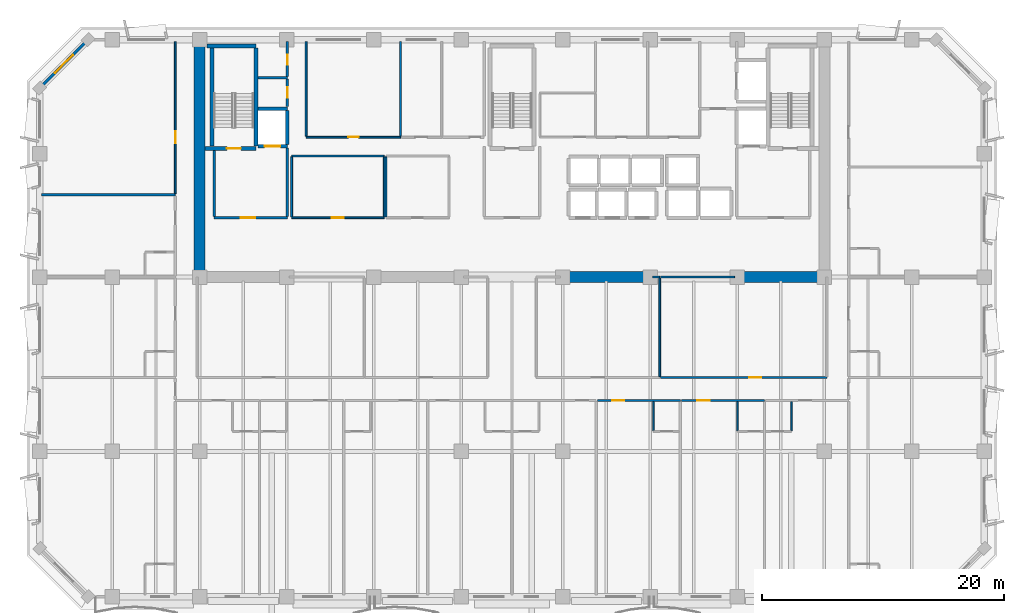
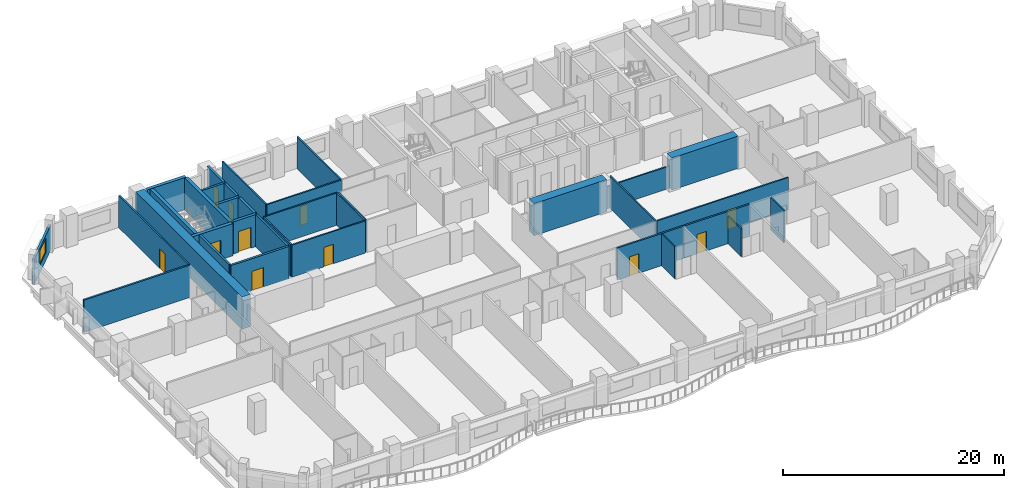
# One storey, part 6 of 14: 36 walls, 11 doors, 1 window, 12 openings.
"""IFC4 building model written with IfcOpenShell, lengths in metres."""

from ifc_helpers import new_model, si_unit, direction, frame, frame_2d, origin, place, context, subcontext, project, spatial, rectangle, extrude, material, layer, layer_set, type_object, element, fill, save


model = new_model("IFC4")

# Units and contexts
model_context = context("Model", 3, precision=1e-05, world=origin(), true_north=direction((0.0, 1.0)))
body_context = subcontext(model_context, "Body", "Model", "MODEL_VIEW")
ifc_project = project(units=[si_unit("LENGTHUNIT", "METRE"), si_unit("AREAUNIT", "SQUARE_METRE"), si_unit("VOLUMEUNIT", "CUBIC_METRE"), si_unit("PLANEANGLEUNIT", "RADIAN"), si_unit("MASSUNIT", "GRAM", prefix="KILO")], contexts=[model_context])

# Site, building, storey
site_placement = place(None, origin())
site = spatial("IfcSite", under=ifc_project, at=site_placement, CompositionType="ELEMENT")
building_placement = place(site_placement, origin())
building = spatial("IfcBuilding", under=site, at=building_placement, Name="Kaelvorn Grand Hotel", CompositionType="ELEMENT")
storey_placement = place(building_placement, frame((0.0, 0.0, 165.75)))
storey = spatial("IfcBuildingStorey", under=building, at=storey_placement, Name="L40", CompositionType="ELEMENT", Elevation=165.75)

# Walls
ifc_material_1 = material(Name="Concrete C60/75", Category="concrete")
ifc_layer_1 = layer(ifc_material_1, 0.89990234375)
ifc_layer_set_1 = layer_set([ifc_layer_1], Name="Concrete C60/75")
wall_type_1 = type_object("IfcWallType", Name="WL-CORE-900-C60", PredefinedType="SHEAR", material=ifc_layer_set_1)
wall_1_placement = place(storey_placement, frame((16.199951171875, 29.39990234375, 0.0), z_axis=(0.0, 0.0, 1.0), x_axis=(0.0, 1.0, 0.0)))
element("IfcWall", 1, at=wall_1_placement, inside=storey, type_object=wall_type_1, Name="L40 Rear-Core West Shear Wall", PredefinedType="SHEAR", context=body_context, shape_type="SweptSolid", body=[
    extrude(rectangle(XDim=19.2001953125, YDim=0.89990234375, at=frame_2d((9.60009765625, 0.0))), origin(), (0.0, 0.0, 1.0), 3.56005859375),
])
wall_2_placement = place(storey_placement, frame((46.0, 29.39990234375, 0.0), z_axis=(0.0, 0.0, 1.0), x_axis=(1.0, 0.0, 0.0)))
element("IfcWall", 2, at=wall_2_placement, inside=storey, type_object=wall_type_1, Name="L40 Rear-Core Coupled Shear Pier S3", PredefinedType="SHEAR", context=body_context, shape_type="SweptSolid", body=[
    extrude(rectangle(XDim=7.60009765625, YDim=0.89990234375, at=frame_2d((3.800048828125, 0.0))), origin(), (0.0, 0.0, 1.0), 3.56005859375),
])
wall_3_placement = place(storey_placement, frame((60.39990234375, 29.39990234375, 0.0), z_axis=(0.0, 0.0, 1.0), x_axis=(1.0, 0.0, 0.0)))
element("IfcWall", 3, at=wall_3_placement, inside=storey, type_object=wall_type_1, Name="L40 Rear-Core Coupled Shear Pier S4", PredefinedType="SHEAR", context=body_context, shape_type="SweptSolid", body=[
    extrude(rectangle(XDim=6.945068359375, YDim=0.89990234375, at=frame_2d((3.47265625, 0.0))), origin(), (0.0, 0.0, 1.0), 3.56005859375),
])

# Wall, opening, window
ifc_material_2 = material(Name="Concrete C40/50", Category="concrete")
ifc_layer_2 = layer(ifc_material_2, 0.239990234375)
ifc_layer_set_2 = layer_set([ifc_layer_2], Name="Concrete C40/50")
wall_type_2 = type_object("IfcWallType", Name="WL-EXT-240-C40", PredefinedType="SOLIDWALL", material=ifc_layer_set_2)
wall_4_placement = place(storey_placement, frame((7.0, 49.0, 0.0), z_axis=(0.0, 0.0, 1.0), x_axis=(-0.707106781187, -0.707106781187, 0.0)))
wall_4 = element("IfcWall", 4, at=wall_4_placement, inside=storey, type_object=wall_type_2, Name="L40 Exterior Architectural Concrete Wall 06", PredefinedType="SOLIDWALL", context=body_context, shape_type="SweptSolid", body=[
    extrude(rectangle(XDim=5.65673828125, YDim=0.239990234375, at=frame_2d((2.828369140625, 0.0))), origin(), (0.0, 0.0, 1.0), 2.760009765625),
])
opening_1_placement = place(wall_4_placement, frame((1.7783203125, 0.0, 0.85009765625)))
opening_1 = element("IfcOpeningElement", 5, at=opening_1_placement, cuts=wall_4, Name="Opening W7", PredefinedType="OPENING", context=body_context, shape_type="SweptSolid", body=[
    extrude(rectangle(XDim=2.10009765625, YDim=1.60009765625, at=frame_2d((1.050048828125, 0.800048828125))), frame((0.0, 0.1298828125, 0.0), z_axis=(0.0, -1.0, 0.0), x_axis=(1.0, 0.0, 0.0)), (0.0, 0.0, 1.0), 0.260009765625),
])
ifc_material_3 = material(Name="Laminated Low-E Glass", Category="glass")
window_type = type_object("IfcWindowType", Name="WIN-CHM-2100x1600", PartitioningType="SINGLE_PANEL", PredefinedType="WINDOW", material=ifc_material_3)
window_placement = place(opening_1_placement, origin())
window = element("IfcWindow", 6, at=window_placement, inside=storey, type_object=window_type, Name="L40 Chamfered 45-Degree Corner Window NW", OverallHeight=1.60009765625, OverallWidth=2.10009765625, PartitioningType="SINGLE_PANEL", PredefinedType="WINDOW", context=body_context, shape_type="SweptSolid", body=[
    extrude(rectangle(XDim=2.10009765625, YDim=1.60009765625, at=frame_2d((1.050048828125, 0.800048828125))), frame((0.0, 0.030029296875, 0.0), z_axis=(0.0, -1.0, 0.0), x_axis=(1.0, 0.0, 0.0)), (0.0, 0.0, 1.0), 0.06005859375),
])
fill(opening_1, window)

# Walls
ifc_material_4 = material(Name="Moisture-Resistant Tile & Stud Board")
ifc_layer_3 = layer(ifc_material_4, 0.125)
ifc_layer_set_3 = layer_set([ifc_layer_3], Name="Moisture-Resistant Tile & Stud Board")
wall_type_3 = type_object("IfcWallType", Name="WL-PART-125-WET", PredefinedType="PARTITIONING", material=ifc_layer_set_3)
wall_5_placement = place(storey_placement, frame((53.679931640625, 16.717529296875, 0.0), z_axis=(0.0, 0.0, 1.0), x_axis=(0.0, 1.0, 0.0)))
element("IfcWall", 7, at=wall_5_placement, inside=storey, type_object=wall_type_3, Name="L40 En-suite Bathroom L40-06 W Partition", PredefinedType="PARTITIONING", context=body_context, shape_type="SweptSolid", body=[
    extrude(rectangle(XDim=2.387451171875, YDim=0.125, at=frame_2d((1.19384765625, 0.0))), origin(), (0.0, 0.0, 1.0), 3.56005859375),
])
wall_6_placement = place(storey_placement, frame((60.6298828125, 16.717529296875, 0.0), z_axis=(0.0, 0.0, 1.0), x_axis=(0.0, 1.0, 0.0)))
element("IfcWall", 8, at=wall_6_placement, inside=storey, type_object=wall_type_3, Name="L40 En-suite Bathroom L40-07 W Partition", PredefinedType="PARTITIONING", context=body_context, shape_type="SweptSolid", body=[
    extrude(rectangle(XDim=2.387451171875, YDim=0.125, at=frame_2d((1.19384765625, 0.0))), origin(), (0.0, 0.0, 1.0), 3.06005859375),
])
wall_7_placement = place(storey_placement, frame((65.070068359375, 16.717529296875, 0.0), z_axis=(0.0, 0.0, 1.0), x_axis=(0.0, 1.0, 0.0)))
element("IfcWall", 9, at=wall_7_placement, inside=storey, type_object=wall_type_3, Name="L40 En-suite Bathroom L40-08 E Partition", PredefinedType="PARTITIONING", context=body_context, shape_type="SweptSolid", body=[
    extrude(rectangle(XDim=2.387451171875, YDim=0.125, at=frame_2d((1.19384765625, 0.0))), origin(), (0.0, 0.0, 1.0), 3.56005859375),
])
ifc_material_5 = material(Name="Acoustic Gypsum & Stud Partition")
ifc_layer_4 = layer(ifc_material_5, 0.14990234375)
ifc_layer_set_4 = layer_set([ifc_layer_4], Name="Acoustic Gypsum & Stud Partition")
wall_type_4 = type_object("IfcWallType", Name="WL-PART-150-EI60", PredefinedType="PARTITIONING", material=ifc_layer_set_4)
wall_8_placement = place(storey_placement, frame((31.60009765625, 34.3798828125, 0.0), z_axis=(0.0, 0.0, 1.0), x_axis=(0.0, 1.0, 0.0)))
element("IfcWall", 10, at=wall_8_placement, inside=storey, type_object=wall_type_4, Name="L40 Core Telecoms & BMS Server Room W Partition", PredefinedType="PARTITIONING", context=body_context, shape_type="SweptSolid", body=[
    extrude(rectangle(XDim=4.940185546875, YDim=0.14990234375, at=frame_2d((2.47021484375, 0.0))), origin(), (0.0, 0.0, 1.0), 3.56005859375),
])

# Wall, opening, door
wall_9_placement = place(storey_placement, frame((23.800048828125, 34.300048828125, 0.0), z_axis=(0.0, 0.0, 1.0), x_axis=(1.0, 0.0, 0.0)))
wall_9 = element("IfcWall", 11, at=wall_9_placement, inside=storey, type_object=wall_type_4, Name="L40 Executive Club Sitting Lounge S Partition", PredefinedType="PARTITIONING", context=body_context, shape_type="SweptSolid", body=[
    extrude(rectangle(XDim=7.64990234375, YDim=0.14990234375, at=frame_2d((3.824951171875, 0.0))), origin(), (0.0, 0.0, 1.0), 3.56005859375),
])
opening_2_placement = place(wall_9_placement, frame((3.300048828125, 0.0, 0.0)))
opening_2 = element("IfcOpeningElement", 12, at=opening_2_placement, cuts=wall_9, Name="Opening DI3", PredefinedType="OPENING", context=body_context, shape_type="SweptSolid", body=[
    extrude(rectangle(XDim=1.0, YDim=2.14990234375, at=frame_2d((0.5, 1.074951171875))), frame((0.0, 0.0849609375, 0.0), z_axis=(0.0, -1.0, 0.0), x_axis=(1.0, 0.0, 0.0)), (0.0, 0.0, 1.0), 0.169921875),
])
ifc_material_6 = material(Name="Timber Veneer Fire Leaf", Category="wood")
door_type_1 = type_object("IfcDoorType", Name="DR-INT-GUEST-1000x2150", OperationType="NOTDEFINED", PredefinedType="DOOR", material=ifc_material_6)
door_1_placement = place(opening_2_placement, origin())
door_1 = element("IfcDoor", 13, at=door_1_placement, inside=storey, type_object=door_type_1, Name="L40 Executive Club Sitting Lounge Door", OperationType="SINGLE_SWING_LEFT", OverallHeight=2.14990234375, OverallWidth=1.0, PredefinedType="DOOR", context=body_context, shape_type="SweptSolid", body=[
    extrude(rectangle(XDim=1.0, YDim=2.14990234375, at=frame_2d((0.5, 1.074951171875))), frame((0.0, 0.02490234375, 0.0), z_axis=(0.0, -1.0, 0.0), x_axis=(1.0, 0.0, 0.0)), (0.0, 0.0, 1.0), 0.050048828125),
])
fill(opening_2, door_1)

# Walls
wall_10_placement = place(storey_placement, frame((23.800048828125, 39.39990234375, 0.0), z_axis=(0.0, 0.0, 1.0), x_axis=(1.0, 0.0, 0.0)))
element("IfcWall", 14, at=wall_10_placement, inside=storey, type_object=wall_type_4, Name="L40 Executive Club Sitting Lounge N Partition", PredefinedType="PARTITIONING", context=body_context, shape_type="SweptSolid", body=[
    extrude(rectangle(XDim=7.64990234375, YDim=0.14990234375, at=frame_2d((3.824951171875, 0.0))), origin(), (0.0, 0.0, 1.0), 3.56005859375),
])
for number, where, z_axis, x_axis, name in (
    (15, (23.800048828125, 34.3798828125, 0.0), (0.0, 0.0, 1.0), (0.0, 1.0, 0.0), "L40 Executive Club Sitting Lounge W Partition"),
    (16, (31.449951171875, 34.3798828125, 0.0), (0.0, 0.0, 1.0), (0.0, 1.0, 0.0), "L40 Executive Club Sitting Lounge E Partition"),
):
    element("IfcWall", number, at=place(storey_placement, frame(where, z_axis=z_axis, x_axis=x_axis)), inside=storey, type_object=wall_type_4, Name=name, PredefinedType="PARTITIONING", context=body_context, shape_type="SweptSolid", body=[
        extrude(rectangle(XDim=4.940185546875, YDim=0.14990234375, at=frame_2d((2.47021484375, 0.0))), origin(), (0.0, 0.0, 1.0), 3.56005859375),
    ])

# Wall, opening, door
wall_11_placement = place(storey_placement, frame((25.0, 40.949951171875, 0.0), z_axis=(0.0, 0.0, 1.0), x_axis=(1.0, 0.0, 0.0)))
wall_11 = element("IfcWall", 17, at=wall_11_placement, inside=storey, type_object=wall_type_4, Name="L40 Housekeeping & Linen Room S Partition", PredefinedType="PARTITIONING", context=body_context, shape_type="SweptSolid", body=[
    extrude(rectangle(XDim=7.800048828125, YDim=0.14990234375, at=frame_2d((3.89990234375, 0.0))), origin(), (0.0, 0.0, 1.0), 3.56005859375),
])
opening_3_placement = place(wall_11_placement, frame((3.47509765625, 0.0, 0.0)))
opening_3 = element("IfcOpeningElement", 18, at=opening_3_placement, cuts=wall_11, Name="Opening DI7", PredefinedType="OPENING", context=body_context, shape_type="SweptSolid", body=[
    extrude(rectangle(XDim=0.85009765625, YDim=2.10009765625, at=frame_2d((0.425048828125, 1.050048828125))), frame((0.0, 0.0849609375, 0.0), z_axis=(0.0, -1.0, 0.0), x_axis=(1.0, 0.0, 0.0)), (0.0, 0.0, 1.0), 0.169921875),
])
ifc_material_7 = material(Name="Powder-Coated Steel Leaf", Category="steel")
door_type_2 = type_object("IfcDoorType", Name="DR-INT-RISER-850x2100", OperationType="NOTDEFINED", PredefinedType="DOOR", material=ifc_material_7)
door_2_placement = place(opening_3_placement, origin())
door_2 = element("IfcDoor", 19, at=door_2_placement, inside=storey, type_object=door_type_2, Name="L40 Housekeeping & Linen Room Door", OperationType="SINGLE_SWING_RIGHT", OverallHeight=2.10009765625, OverallWidth=0.85009765625, PredefinedType="DOOR", context=body_context, shape_type="SweptSolid", body=[
    extrude(rectangle(XDim=0.85009765625, YDim=2.10009765625, at=frame_2d((0.425048828125, 1.050048828125))), frame((0.0, 0.02490234375, 0.0), z_axis=(0.0, -1.0, 0.0), x_axis=(1.0, 0.0, 0.0)), (0.0, 0.0, 1.0), 0.050048828125),
])
fill(opening_3, door_2)

# Walls
for number, where, z_axis, x_axis, name in (
    (20, (25.0, 41.030029296875, 0.0), (0.0, 0.0, 1.0), (0.0, 1.0, 0.0), "L40 Housekeeping & Linen Room W Partition"),
    (21, (32.800048828125, 41.030029296875, 0.0), (0.0, 0.0, 1.0), (0.0, 1.0, 0.0), "L40 Housekeeping & Linen Room E Partition"),
):
    element("IfcWall", number, at=place(storey_placement, frame(where, z_axis=z_axis, x_axis=x_axis)), inside=storey, type_object=wall_type_4, Name=name, PredefinedType="PARTITIONING", context=body_context, shape_type="SweptSolid", body=[
        extrude(rectangle(XDim=7.820068359375, YDim=0.14990234375, at=frame_2d((3.91015625, 0.0))), origin(), (0.0, 0.0, 1.0), 3.56005859375),
    ])
wall_12_placement = place(storey_placement, frame((53.610107421875, 29.39990234375, 0.0), z_axis=(0.0, 0.0, 1.0), x_axis=(1.0, 0.0, 0.0)))
element("IfcWall", 22, at=wall_12_placement, inside=storey, type_object=wall_type_4, Name="L40 Diplomatic Living Room N Partition (2)", PredefinedType="PARTITIONING", context=body_context, shape_type="SweptSolid", body=[
    extrude(rectangle(XDim=0.58984375, YDim=0.14990234375, at=frame_2d((0.294921875, 0.0))), origin(), (0.0, 0.0, 1.0), 2.4599609375),
])
wall_13_placement = place(storey_placement, frame((54.199951171875, 21.179931640625, 0.0), z_axis=(0.0, 0.0, 1.0), x_axis=(0.0, 1.0, 0.0)))
element("IfcWall", 23, at=wall_13_placement, inside=storey, type_object=wall_type_4, Name="L40 Diplomatic Living Room E Partition", PredefinedType="PARTITIONING", context=body_context, shape_type="SweptSolid", body=[
    extrude(rectangle(XDim=8.14013671875, YDim=0.14990234375, at=frame_2d((4.070068359375, 0.0))), origin(), (0.0, 0.0, 1.0), 3.56005859375),
])

# Wall, opening, door
wall_14_placement = place(storey_placement, frame((54.280029296875, 21.10009765625, 0.0), z_axis=(0.0, 0.0, 1.0), x_axis=(1.0, 0.0, 0.0)))
wall_14 = element("IfcWall", 24, at=wall_14_placement, inside=storey, type_object=wall_type_4, Name="L40 Executive Meeting Room S Partition", PredefinedType="PARTITIONING", context=body_context, shape_type="SweptSolid", body=[
    extrude(rectangle(XDim=13.719970703125, YDim=0.14990234375, at=frame_2d((6.85986328125, 0.0))), origin(), (0.0, 0.0, 1.0), 3.56005859375),
])
opening_4_placement = place(wall_14_placement, frame((7.320068359375, 0.0, 0.0)))
opening_4 = element("IfcOpeningElement", 25, at=opening_4_placement, cuts=wall_14, Name="Opening DI3", PredefinedType="OPENING", context=body_context, shape_type="SweptSolid", body=[
    extrude(rectangle(XDim=1.0, YDim=2.14990234375, at=frame_2d((0.5, 1.074951171875))), frame((0.0, 0.0849609375, 0.0), z_axis=(0.0, -1.0, 0.0), x_axis=(1.0, 0.0, 0.0)), (0.0, 0.0, 1.0), 0.169921875),
])
door_3_placement = place(opening_4_placement, origin())
door_3 = element("IfcDoor", 26, at=door_3_placement, inside=storey, type_object=door_type_1, Name="L40 Executive Meeting Room Door", OperationType="SINGLE_SWING_LEFT", OverallHeight=2.14990234375, OverallWidth=1.0, PredefinedType="DOOR", context=body_context, shape_type="SweptSolid", body=[
    extrude(rectangle(XDim=1.0, YDim=2.14990234375, at=frame_2d((0.5, 1.074951171875))), frame((0.0, 0.02490234375, 0.0), z_axis=(0.0, -1.0, 0.0), x_axis=(1.0, 0.0, 0.0)), (0.0, 0.0, 1.0), 0.050048828125),
])
fill(opening_4, door_3)

# Wall
wall_15_placement = place(storey_placement, frame((54.280029296875, 29.39990234375, 0.0), z_axis=(0.0, 0.0, 1.0), x_axis=(1.0, 0.0, 0.0)))
element("IfcWall", 27, at=wall_15_placement, inside=storey, type_object=wall_type_4, Name="L40 Executive Meeting Room N Partition", PredefinedType="PARTITIONING", context=body_context, shape_type="SweptSolid", body=[
    extrude(rectangle(XDim=6.10986328125, YDim=0.14990234375, at=frame_2d((3.054931640625, 0.0))), origin(), (0.0, 0.0, 1.0), 2.4599609375),
])

# Wall, opening, door
wall_16_placement = place(storey_placement, frame((14.199951171875, 36.294921875, 0.0), z_axis=(0.0, 0.0, 1.0), x_axis=(0.0, 1.0, 0.0)))
wall_16 = element("IfcWall", 28, at=wall_16_placement, inside=storey, type_object=wall_type_4, Name="L40 North-West Executive Meeting Room E Partition", PredefinedType="PARTITIONING", context=body_context, shape_type="SweptSolid", body=[
    extrude(rectangle(XDim=12.55517578125, YDim=0.14990234375, at=frame_2d((6.277587890625, 0.0))), origin(), (0.0, 0.0, 1.0), 3.56005859375),
])
opening_5_placement = place(wall_16_placement, frame((4.155029296875, 0.0, 0.0)))
opening_5 = element("IfcOpeningElement", 29, at=opening_5_placement, cuts=wall_16, Name="Opening DI3", PredefinedType="OPENING", context=body_context, shape_type="SweptSolid", body=[
    extrude(rectangle(XDim=1.0, YDim=2.14990234375, at=frame_2d((0.5, 1.074951171875))), frame((0.0, 0.0849609375, 0.0), z_axis=(0.0, -1.0, 0.0), x_axis=(1.0, 0.0, 0.0)), (0.0, 0.0, 1.0), 0.169921875),
])
door_4_placement = place(opening_5_placement, origin())
door_4 = element("IfcDoor", 30, at=door_4_placement, inside=storey, type_object=door_type_1, Name="L40 North-West Executive Meeting Room Door", OperationType="SINGLE_SWING_RIGHT", OverallHeight=2.14990234375, OverallWidth=1.0, PredefinedType="DOOR", context=body_context, shape_type="SweptSolid", body=[
    extrude(rectangle(XDim=1.0, YDim=2.14990234375, at=frame_2d((0.5, 1.074951171875))), frame((0.0, 0.02490234375, 0.0), z_axis=(0.0, -1.0, 0.0), x_axis=(1.0, 0.0, 0.0)), (0.0, 0.0, 1.0), 0.050048828125),
])
fill(opening_5, door_4)

ifc_layer_5 = layer(ifc_material_5, 0.179931640625)
ifc_layer_set_5 = layer_set([ifc_layer_5], Name="Acoustic Gypsum & Stud Partition")
wall_type_5 = type_object("IfcWallType", Name="WL-PART-180-EI60", PredefinedType="PARTITIONING", material=ifc_layer_set_5)
wall_17_placement = place(storey_placement, frame((49.044921875, 19.199951171875, 0.0), z_axis=(0.0, 0.0, 1.0), x_axis=(1.0, 0.0, 0.0)))
wall_17 = element("IfcWall", 31, at=wall_17_placement, inside=storey, type_object=wall_type_5, Name="L40 Mid-Rise Signature Suite L40-06 N Partition", PredefinedType="PARTITIONING", context=body_context, shape_type="SweptSolid", body=[
    extrude(rectangle(XDim=6.85498046875, YDim=0.179931640625, at=frame_2d((3.427490234375, 0.0))), origin(), (0.0, 0.0, 1.0), 3.56005859375),
])
opening_6_placement = place(wall_17_placement, frame((1.239990234375, 0.0, 0.0)))
opening_6 = element("IfcOpeningElement", 32, at=opening_6_placement, cuts=wall_17, Name="Opening DI3", PredefinedType="OPENING", context=body_context, shape_type="SweptSolid", body=[
    extrude(rectangle(XDim=1.0, YDim=2.14990234375, at=frame_2d((0.5, 1.074951171875))), frame((0.0, 0.10009765625, 0.0), z_axis=(0.0, -1.0, 0.0), x_axis=(1.0, 0.0, 0.0)), (0.0, 0.0, 1.0), 0.199951171875),
])
door_5_placement = place(opening_6_placement, origin())
door_5 = element("IfcDoor", 33, at=door_5_placement, inside=storey, type_object=door_type_1, Name="L40 Mid-Rise Signature Suite L40-06 Door", OperationType="SINGLE_SWING_RIGHT", OverallHeight=2.14990234375, OverallWidth=1.0, PredefinedType="DOOR", context=body_context, shape_type="SweptSolid", body=[
    extrude(rectangle(XDim=1.0, YDim=2.14990234375, at=frame_2d((0.5, 1.074951171875))), frame((0.0, 0.02490234375, 0.0), z_axis=(0.0, -1.0, 0.0), x_axis=(1.0, 0.0, 0.0)), (0.0, 0.0, 1.0), 0.050048828125),
])
fill(opening_6, door_5)

wall_18_placement = place(storey_placement, frame((55.9951171875, 19.199951171875, 0.0), z_axis=(0.0, 0.0, 1.0), x_axis=(1.0, 0.0, 0.0)))
wall_18 = element("IfcWall", 34, at=wall_18_placement, inside=storey, type_object=wall_type_5, Name="L40 Mid-Rise Signature Suite L40-07 N Partition", PredefinedType="PARTITIONING", context=body_context, shape_type="SweptSolid", body=[
    extrude(rectangle(XDim=6.85498046875, YDim=0.179931640625, at=frame_2d((3.427490234375, 0.0))), origin(), (0.0, 0.0, 1.0), 3.56005859375),
])
opening_7_placement = place(wall_18_placement, frame((1.320068359375, 0.0, 0.0)))
opening_7 = element("IfcOpeningElement", 35, at=opening_7_placement, cuts=wall_18, Name="Opening DI3", PredefinedType="OPENING", context=body_context, shape_type="SweptSolid", body=[
    extrude(rectangle(XDim=1.0, YDim=2.14990234375, at=frame_2d((0.5, 1.074951171875))), frame((0.0, 0.10009765625, 0.0), z_axis=(0.0, -1.0, 0.0), x_axis=(1.0, 0.0, 0.0)), (0.0, 0.0, 1.0), 0.199951171875),
])
door_6_placement = place(opening_7_placement, origin())
door_6 = element("IfcDoor", 36, at=door_6_placement, inside=storey, type_object=door_type_1, Name="L40 Mid-Rise Signature Suite L40-07 Door", OperationType="SINGLE_SWING_RIGHT", OverallHeight=2.14990234375, OverallWidth=1.0, PredefinedType="DOOR", context=body_context, shape_type="SweptSolid", body=[
    extrude(rectangle(XDim=1.0, YDim=2.14990234375, at=frame_2d((0.5, 1.074951171875))), frame((0.0, 0.02490234375, 0.0), z_axis=(0.0, -1.0, 0.0), x_axis=(1.0, 0.0, 0.0)), (0.0, 0.0, 1.0), 0.050048828125),
])
fill(opening_7, door_6)

# Wall
wall_19_placement = place(storey_placement, frame((3.14990234375, 36.199951171875, 0.0), z_axis=(0.0, 0.0, 1.0), x_axis=(1.0, 0.0, 0.0)))
element("IfcWall", 37, at=wall_19_placement, inside=storey, type_object=wall_type_5, Name="L40 North-West Wing Suite L40-13 N Partition", PredefinedType="PARTITIONING", context=body_context, shape_type="SweptSolid", body=[
    extrude(rectangle(XDim=11.050048828125, YDim=0.179931640625, at=frame_2d((5.52490234375, 0.0))), origin(), (0.0, 0.0, 1.0), 3.56005859375),
])

# Wall, opening, door
ifc_layer_6 = layer(ifc_material_2, 0.219970703125)
ifc_layer_set_6 = layer_set([ifc_layer_6], Name="Concrete C40/50")
wall_type_6 = type_object("IfcWallType", Name="WL-PART-220-EI120", PredefinedType="PARTITIONING", material=ifc_layer_set_6)
wall_20_placement = place(storey_placement, frame((17.39990234375, 34.300048828125, 0.0), z_axis=(0.0, 0.0, 1.0), x_axis=(1.0, 0.0, 0.0)))
wall_20 = element("IfcWall", 38, at=wall_20_placement, inside=storey, type_object=wall_type_6, Name="L40 Firefighting Lift Lobby 1 S Partition", PredefinedType="PARTITIONING", context=body_context, shape_type="SweptSolid", body=[
    extrude(rectangle(XDim=6.050048828125, YDim=0.219970703125, at=frame_2d((3.02490234375, 0.0))), origin(), (0.0, 0.0, 1.0), 3.56005859375),
])
opening_8_placement = place(wall_20_placement, frame((2.199951171875, 0.0, 0.0)))
opening_8 = element("IfcOpeningElement", 39, at=opening_8_placement, cuts=wall_20, Name="Opening DI2", PredefinedType="OPENING", context=body_context, shape_type="SweptSolid", body=[
    extrude(rectangle(XDim=1.199951171875, YDim=2.14990234375, at=frame_2d((0.60009765625, 1.074951171875))), frame((0.0, 0.1201171875, 0.0), z_axis=(0.0, -1.0, 0.0), x_axis=(1.0, 0.0, 0.0)), (0.0, 0.0, 1.0), 0.239990234375),
])
door_type_3 = type_object("IfcDoorType", Name="DR-INT-FFLOB-1200x2150", OperationType="NOTDEFINED", PredefinedType="DOOR", material=ifc_material_6)
door_7_placement = place(opening_8_placement, origin())
door_7 = element("IfcDoor", 40, at=door_7_placement, inside=storey, type_object=door_type_3, Name="L40 Firefighting Lift Lobby 1 Door", OperationType="SINGLE_SWING_RIGHT", OverallHeight=2.14990234375, OverallWidth=1.199951171875, PredefinedType="DOOR", context=body_context, shape_type="SweptSolid", body=[
    extrude(rectangle(XDim=1.199951171875, YDim=2.14990234375, at=frame_2d((0.60009765625, 1.074951171875))), frame((0.0, 0.02490234375, 0.0), z_axis=(0.0, -1.0, 0.0), x_axis=(1.0, 0.0, 0.0)), (0.0, 0.0, 1.0), 0.050048828125),
])
fill(opening_8, door_7)

# Walls
wall_21_placement = place(storey_placement, frame((17.39990234375, 34.4150390625, 0.0), z_axis=(0.0, 0.0, 1.0), x_axis=(0.0, 1.0, 0.0)))
element("IfcWall", 41, at=wall_21_placement, inside=storey, type_object=wall_type_6, Name="L40 Firefighting Lift Lobby 1 W Partition", PredefinedType="PARTITIONING", context=body_context, shape_type="SweptSolid", body=[
    extrude(rectangle(XDim=5.429931640625, YDim=0.219970703125, at=frame_2d((2.71484375, 0.0))), origin(), (0.0, 0.0, 1.0), 3.56005859375),
])
wall_22_placement = place(storey_placement, frame((23.449951171875, 34.4150390625, 0.0), z_axis=(0.0, 0.0, 1.0), x_axis=(0.0, 1.0, 0.0)))
element("IfcWall", 42, at=wall_22_placement, inside=storey, type_object=wall_type_6, Name="L40 Firefighting Lift Lobby 1 E Partition", PredefinedType="PARTITIONING", context=body_context, shape_type="SweptSolid", body=[
    extrude(rectangle(XDim=5.639892578125, YDim=0.219970703125, at=frame_2d((2.81982421875, 0.0))), origin(), (0.0, 0.0, 1.0), 3.56005859375),
])
wall_23_placement = place(storey_placement, frame((21.034912109375, 45.85009765625, 0.0), z_axis=(0.0, 0.0, 1.0), x_axis=(1.0, 0.0, 0.0)))
element("IfcWall", 43, at=wall_23_placement, inside=storey, type_object=wall_type_6, Name="L40 Wet Fire & Plumbing Riser Shaft N Partition", PredefinedType="PARTITIONING", context=body_context, shape_type="SweptSolid", body=[
    extrude(rectangle(XDim=2.4150390625, YDim=0.219970703125, at=frame_2d((1.20751953125, 0.0))), origin(), (0.0, 0.0, 1.0), 3.56005859375),
])

# Wall, opening, door
wall_24_placement = place(storey_placement, frame((23.449951171875, 43.5, 0.0), z_axis=(0.0, 0.0, 1.0), x_axis=(0.0, 1.0, 0.0)))
wall_24 = element("IfcWall", 44, at=wall_24_placement, inside=storey, type_object=wall_type_6, Name="L40 Wet Fire & Plumbing Riser Shaft E Partition", PredefinedType="PARTITIONING", context=body_context, shape_type="SweptSolid", body=[
    extrude(rectangle(XDim=2.235107421875, YDim=0.219970703125, at=frame_2d((1.11767578125, 0.0))), origin(), (0.0, 0.0, 1.0), 3.56005859375),
])
opening_9_placement = place(wall_24_placement, frame((0.72509765625, 0.0, 0.0)))
opening_9 = element("IfcOpeningElement", 45, at=opening_9_placement, cuts=wall_24, Name="Opening DI7", PredefinedType="OPENING", context=body_context, shape_type="SweptSolid", body=[
    extrude(rectangle(XDim=0.85009765625, YDim=2.10009765625, at=frame_2d((0.425048828125, 1.050048828125))), frame((0.0, 0.1201171875, 0.0), z_axis=(0.0, -1.0, 0.0), x_axis=(1.0, 0.0, 0.0)), (0.0, 0.0, 1.0), 0.239990234375),
])
door_8_placement = place(opening_9_placement, origin())
door_8 = element("IfcDoor", 46, at=door_8_placement, inside=storey, type_object=door_type_2, Name="L40 Wet Fire & Plumbing Riser Shaft Door", OperationType="SINGLE_SWING_RIGHT", OverallHeight=2.10009765625, OverallWidth=0.85009765625, PredefinedType="DOOR", context=body_context, shape_type="SweptSolid", body=[
    extrude(rectangle(XDim=0.85009765625, YDim=2.10009765625, at=frame_2d((0.425048828125, 1.050048828125))), frame((0.0, 0.02490234375, 0.0), z_axis=(0.0, -1.0, 0.0), x_axis=(1.0, 0.0, 0.0)), (0.0, 0.0, 1.0), 0.050048828125),
])
fill(opening_9, door_8)

wall_25_placement = place(storey_placement, frame((23.449951171875, 45.965087890625, 0.0), z_axis=(0.0, 0.0, 1.0), x_axis=(0.0, 1.0, 0.0)))
wall_25 = element("IfcWall", 47, at=wall_25_placement, inside=storey, type_object=wall_type_6, Name="L40 HV Electrical & Smoke Riser E Partition", PredefinedType="PARTITIONING", context=body_context, shape_type="SweptSolid", body=[
    extrude(rectangle(XDim=2.885009765625, YDim=0.219970703125, at=frame_2d((1.4423828125, 0.0))), origin(), (0.0, 0.0, 1.0), 3.56005859375),
])
opening_10_placement = place(wall_25_placement, frame((0.9599609375, 0.0, 0.0)))
opening_10 = element("IfcOpeningElement", 48, at=opening_10_placement, cuts=wall_25, Name="Opening DI7", PredefinedType="OPENING", context=body_context, shape_type="SweptSolid", body=[
    extrude(rectangle(XDim=0.85009765625, YDim=2.10009765625, at=frame_2d((0.425048828125, 1.050048828125))), frame((0.0, 0.1201171875, 0.0), z_axis=(0.0, -1.0, 0.0), x_axis=(1.0, 0.0, 0.0)), (0.0, 0.0, 1.0), 0.239990234375),
])
door_9_placement = place(opening_10_placement, origin())
door_9 = element("IfcDoor", 49, at=door_9_placement, inside=storey, type_object=door_type_2, Name="L40 HV Electrical & Smoke Riser Door", OperationType="SINGLE_SWING_LEFT", OverallHeight=2.10009765625, OverallWidth=0.85009765625, PredefinedType="DOOR", context=body_context, shape_type="SweptSolid", body=[
    extrude(rectangle(XDim=0.85009765625, YDim=2.10009765625, at=frame_2d((0.425048828125, 1.050048828125))), frame((0.0, 0.02490234375, 0.0), z_axis=(0.0, -1.0, 0.0), x_axis=(1.0, 0.0, 0.0)), (0.0, 0.0, 1.0), 0.050048828125),
])
fill(opening_10, door_9)

ifc_material_8 = material(Name="Concrete C50/60", Category="concrete")
ifc_layer_7 = layer(ifc_material_8, 0.280029296875)
ifc_layer_set_7 = layer_set([ifc_layer_7], Name="Concrete C50/60")
wall_type_7 = type_object("IfcWallType", Name="WL-SHAFT-280-C50", PredefinedType="SHEAR", material=ifc_layer_set_7)
wall_26_placement = place(storey_placement, frame((21.034912109375, 40.199951171875, 0.0), z_axis=(0.0, 0.0, 1.0), x_axis=(1.0, 0.0, 0.0)))
wall_26 = element("IfcWall", 50, at=wall_26_placement, inside=storey, type_object=wall_type_7, Name="L40 Lift FFL1 Shaft South Wall", PredefinedType="SHEAR", context=body_context, shape_type="SweptSolid", body=[
    extrude(rectangle(XDim=2.4150390625, YDim=0.280029296875, at=frame_2d((1.20751953125, 0.0))), origin(), (0.0, 0.0, 1.0), 3.56005859375),
])
opening_11_placement = place(wall_26_placement, frame((0.5400390625, 0.0, 0.0)))
opening_11 = element("IfcOpeningElement", 51, at=opening_11_placement, cuts=wall_26, Name="Opening LD-FFL1", PredefinedType="OPENING", context=body_context, shape_type="SweptSolid", body=[
    extrude(rectangle(XDim=1.300048828125, YDim=2.300048828125, at=frame_2d((0.64990234375, 1.14990234375))), frame((0.0, 0.14990234375, 0.0), z_axis=(0.0, -1.0, 0.0), x_axis=(1.0, 0.0, 0.0)), (0.0, 0.0, 1.0), 0.300048828125),
])
ifc_material_9 = material(Name="Stainless Steel", Category="steel")
door_type_4 = type_object("IfcDoorType", Name="DR-LIFT-SERV-1300x2300", OperationType="DOUBLE_DOOR_SLIDING", PredefinedType="DOOR", material=ifc_material_9)
door_10_placement = place(opening_11_placement, origin())
door_10 = element("IfcDoor", 52, at=door_10_placement, inside=storey, type_object=door_type_4, Name="L40 Lift FFL1 Sliding Landing Door LD-FFL1", OperationType="DOUBLE_DOOR_SLIDING", OverallHeight=2.300048828125, OverallWidth=1.300048828125, PredefinedType="DOOR", context=body_context, shape_type="SweptSolid", body=[
    extrude(rectangle(XDim=1.300048828125, YDim=2.300048828125, at=frame_2d((0.64990234375, 1.14990234375))), frame((0.0, 0.02490234375, 0.0), z_axis=(0.0, -1.0, 0.0), x_axis=(1.0, 0.0, 0.0)), (0.0, 0.0, 1.0), 0.050048828125),
])
fill(opening_11, door_10)

# Walls
wall_27_placement = place(storey_placement, frame((21.034912109375, 43.300048828125, 0.0), z_axis=(0.0, 0.0, 1.0), x_axis=(1.0, 0.0, 0.0)))
element("IfcWall", 53, at=wall_27_placement, inside=storey, type_object=wall_type_7, Name="L40 Lift FFL1 Shaft North Wall", PredefinedType="SHEAR", context=body_context, shape_type="SweptSolid", body=[
    extrude(rectangle(XDim=2.4150390625, YDim=0.280029296875, at=frame_2d((1.20751953125, 0.0))), origin(), (0.0, 0.0, 1.0), 3.56005859375),
])
wall_28_placement = place(storey_placement, frame((23.449951171875, 40.344970703125, 0.0), z_axis=(0.0, 0.0, 1.0), x_axis=(0.0, 1.0, 0.0)))
element("IfcWall", 54, at=wall_28_placement, inside=storey, type_object=wall_type_7, Name="L40 Lift FFL1 Shaft East Wall", PredefinedType="SHEAR", context=body_context, shape_type="SweptSolid", body=[
    extrude(rectangle(XDim=2.81005859375, YDim=0.280029296875, at=frame_2d((1.405029296875, 0.0))), origin(), (0.0, 0.0, 1.0), 3.56005859375),
])

# Wall, opening, door
ifc_layer_8 = layer(ifc_material_1, 0.35009765625)
ifc_layer_set_8 = layer_set([ifc_layer_8], Name="Concrete C60/75")
wall_type_8 = type_object("IfcWallType", Name="WL-SHAFT-350-C60", PredefinedType="SHEAR", material=ifc_layer_set_8)
wall_29_placement = place(storey_placement, frame((16.655029296875, 40.02490234375, 0.0), z_axis=(0.0, 0.0, 1.0), x_axis=(1.0, 0.0, 0.0)))
wall_29 = element("IfcWall", 55, at=wall_29_placement, inside=storey, type_object=wall_type_8, Name="L40 ST1 Stair Shaft South Wall", PredefinedType="SHEAR", context=body_context, shape_type="SweptSolid", body=[
    extrude(rectangle(XDim=4.199951171875, YDim=0.35009765625, at=frame_2d((2.10009765625, 0.0))), origin(), (0.0, 0.0, 1.0), 3.56005859375),
])
opening_12_placement = place(wall_29_placement, frame((1.81005859375, 0.0, 0.0)))
opening_12 = element("IfcOpeningElement", 56, at=opening_12_placement, cuts=wall_29, Name="Opening DI1", PredefinedType="OPENING", context=body_context, shape_type="SweptSolid", body=[
    extrude(rectangle(XDim=1.14990234375, YDim=2.14990234375, at=frame_2d((0.574951171875, 1.074951171875))), frame((0.0, 0.18505859375, 0.0), z_axis=(0.0, -1.0, 0.0), x_axis=(1.0, 0.0, 0.0)), (0.0, 0.0, 1.0), 0.3701171875),
])
door_type_5 = type_object("IfcDoorType", Name="DR-INT-STAIR-1150x2150", OperationType="NOTDEFINED", PredefinedType="DOOR", material=ifc_material_6)
door_11_placement = place(opening_12_placement, origin())
door_11 = element("IfcDoor", 57, at=door_11_placement, inside=storey, type_object=door_type_5, Name="L40 ST1 Exit Stair Fire Door", OperationType="SINGLE_SWING_LEFT", OverallHeight=2.14990234375, OverallWidth=1.14990234375, PredefinedType="DOOR", context=body_context, shape_type="SweptSolid", body=[
    extrude(rectangle(XDim=1.14990234375, YDim=2.14990234375, at=frame_2d((0.574951171875, 1.074951171875))), frame((0.0, 0.02490234375, 0.0), z_axis=(0.0, -1.0, 0.0), x_axis=(1.0, 0.0, 0.0)), (0.0, 0.0, 1.0), 0.050048828125),
])
fill(opening_12, door_11)

# Walls
wall_30_placement = place(storey_placement, frame((16.804931640625, 48.47509765625, 0.0), z_axis=(0.0, 0.0, 1.0), x_axis=(1.0, 0.0, 0.0)))
element("IfcWall", 58, at=wall_30_placement, inside=storey, type_object=wall_type_8, Name="L40 ST1 Stair Shaft North Wall", PredefinedType="SHEAR", context=body_context, shape_type="SweptSolid", body=[
    extrude(rectangle(XDim=4.050048828125, YDim=0.35009765625, at=frame_2d((2.02490234375, 0.0))), origin(), (0.0, 0.0, 1.0), 3.56005859375),
])
for number, where, z_axis, x_axis, name in (
    (59, (17.22509765625, 40.205078125, 0.0), (0.0, 0.0, 1.0), (0.0, 1.0, 0.0), "L40 ST1 Stair Shaft West Wall"),
    (60, (20.85498046875, 40.205078125, 0.0), (0.0, 0.0, 1.0), (0.0, 1.0, 0.0), "L40 ST1 Stair Shaft East Wall"),
):
    element("IfcWall", number, at=place(storey_placement, frame(where, z_axis=z_axis, x_axis=x_axis)), inside=storey, type_object=wall_type_8, Name=name, PredefinedType="SHEAR", context=body_context, shape_type="SweptSolid", body=[
        extrude(rectangle(XDim=8.08984375, YDim=0.35009765625, at=frame_2d((4.044921875, 0.0))), origin(), (0.0, 0.0, 1.0), 3.56005859375),
    ])

save(model, "model.ifc")
